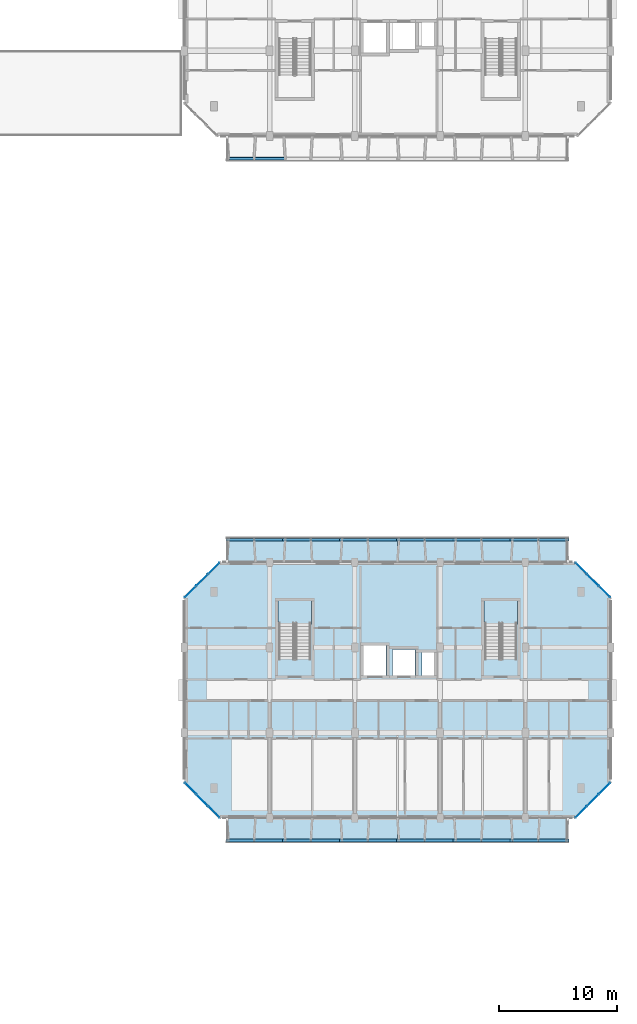
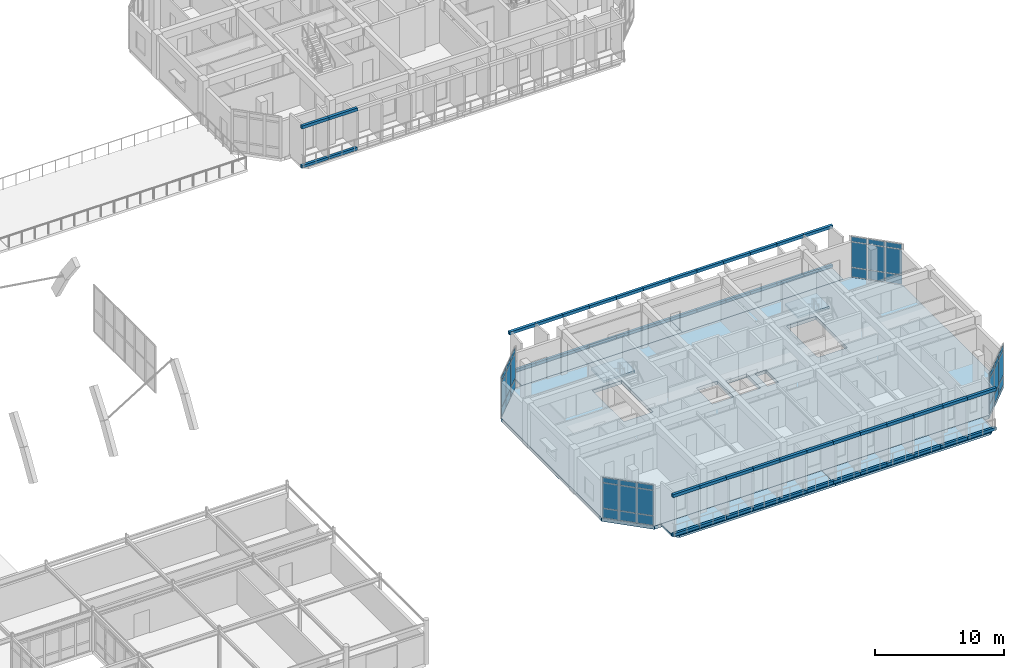
# One storey, part 40 of 85: 88 plates, 7 slabs, 6 elements without a shape of their own.
"""IFC4 building model written with IfcOpenShell, lengths in metres."""

from ifc_helpers import new_model, si_unit, direction, frame, origin, origin_2d, place, context, subcontext, project, spatial, polyline, rectangle, outline, extrude, material, layer, layer_set, type_object, element, aggregate, save


model = new_model("IFC4")

# Units and contexts
model_context = context("Model", 3, precision=1e-05, world=origin(), true_north=direction((0.0, 1.0)))
body_context = subcontext(model_context, "Body", "Model", "MODEL_VIEW")
ifc_project = project(units=[si_unit("LENGTHUNIT", "METRE"), si_unit("AREAUNIT", "SQUARE_METRE"), si_unit("VOLUMEUNIT", "CUBIC_METRE"), si_unit("PLANEANGLEUNIT", "RADIAN"), si_unit("MASSUNIT", "GRAM", prefix="KILO")], contexts=[model_context])

# Site, building, storey
site_placement = place(None, origin())
site = spatial("IfcSite", under=ifc_project, at=site_placement, CompositionType="ELEMENT")
building_placement = place(site_placement, origin())
building = spatial("IfcBuilding", under=site, at=building_placement, Name="Ochrevale Crest", CompositionType="ELEMENT")
storey_placement = place(building_placement, frame((0.0, 0.0, 4.5)))
storey = spatial("IfcBuildingStorey", under=building, at=storey_placement, Name="L01", CompositionType="ELEMENT", Elevation=4.5)

# Curtain wall, plates
ifc_material_1 = material(Name="Anodised aluminium 6063-T5", Category="aluminium")
ifc_layer_1 = layer(ifc_material_1, 0.14990234375)
ifc_layer_set_1 = layer_set([ifc_layer_1], Name="Anodised aluminium 6063-T5")
curtain_wall_type = type_object("IfcCurtainWallType", Name="CW-WG-360x385", PredefinedType="NOTDEFINED", material=ifc_layer_set_1)
curtain_wall_1_placement = place(storey_placement, origin())
curtain_wall_1 = element("IfcCurtainWall", 1, at=curtain_wall_1_placement, inside=storey, type_object=curtain_wall_type, Name="Block C L01 chamfered corner wintergarden curtain wall 2", PredefinedType="NOTDEFINED")
ifc_material_2 = material(Name="Acoustic laminated low-E insulated glass unit", Category="glass")
ifc_layer_2 = layer(ifc_material_2, 0.0380859375)
ifc_layer_set_2 = layer_set([ifc_layer_2], Name="Acoustic laminated low-E insulated glass unit")
plate_type_1 = type_object("IfcPlateType", Name="CW-PNL-IGU38", PredefinedType="CURTAIN_PANEL", material=ifc_layer_set_2)
plate_1_placement = place(storey_placement, frame((163.11328125, 14.913330078125, 0.06005859375), z_axis=(0.0, 0.0, 1.0), x_axis=(0.707106781187, 0.707106781187, 0.0)))
plate_1 = element("IfcPlate", 2, at=plate_1_placement, type_object=plate_type_1, Name="CW20 panel 1.1", PredefinedType="CURTAIN_PANEL", context=body_context, shape_type="SweptSolid", body=[
    extrude(rectangle(XDim=1.3017578125, YDim=0.0380859375, at=origin_2d()), origin(), (0.0, 0.0, 1.0), 0.860107421875),
])
plate_2_placement = place(storey_placement, frame((163.11328125, 14.913330078125, 0.97998046875), z_axis=(0.0, 0.0, 1.0), x_axis=(0.707106781187, 0.707106781187, 0.0)))
plate_2 = element("IfcPlate", 3, at=plate_2_placement, type_object=plate_type_1, Name="CW20 panel 1.2", PredefinedType="CURTAIN_PANEL", context=body_context, shape_type="SweptSolid", body=[
    extrude(rectangle(XDim=1.3017578125, YDim=0.0380859375, at=origin_2d()), origin(), (0.0, 0.0, 1.0), 2.364990234375),
])
plate_3_placement = place(storey_placement, frame((163.11328125, 14.913330078125, 3.405029296875), z_axis=(0.0, 0.0, 1.0), x_axis=(0.707106781187, 0.707106781187, 0.0)))
plate_3 = element("IfcPlate", 4, at=plate_3_placement, type_object=plate_type_1, Name="CW20 panel 1.3", PredefinedType="CURTAIN_PANEL", context=body_context, shape_type="SweptSolid", body=[
    extrude(rectangle(XDim=1.3017578125, YDim=0.0380859375, at=origin_2d()), origin(), (0.0, 0.0, 1.0), 0.4599609375),
])
plate_4_placement = place(storey_placement, frame((164.10009765625, 15.89990234375, 0.06005859375), z_axis=(0.0, 0.0, 1.0), x_axis=(0.707106781187, 0.707106781187, 0.0)))
plate_4 = element("IfcPlate", 5, at=plate_4_placement, type_object=plate_type_1, Name="CW20 panel 2.1", PredefinedType="CURTAIN_PANEL", context=body_context, shape_type="SweptSolid", body=[
    extrude(rectangle(XDim=1.339111328125, YDim=0.0380859375, at=origin_2d()), origin(), (0.0, 0.0, 1.0), 0.860107421875),
])
plate_5_placement = place(storey_placement, frame((164.10009765625, 15.89990234375, 0.97998046875), z_axis=(0.0, 0.0, 1.0), x_axis=(0.707106781187, 0.707106781187, 0.0)))
plate_5 = element("IfcPlate", 6, at=plate_5_placement, type_object=plate_type_1, Name="CW20 panel 2.2", PredefinedType="CURTAIN_PANEL", context=body_context, shape_type="SweptSolid", body=[
    extrude(rectangle(XDim=1.339111328125, YDim=0.0380859375, at=origin_2d()), origin(), (0.0, 0.0, 1.0), 2.364990234375),
])
plate_6_placement = place(storey_placement, frame((164.10009765625, 15.89990234375, 3.405029296875), z_axis=(0.0, 0.0, 1.0), x_axis=(0.707106781187, 0.707106781187, 0.0)))
plate_6 = element("IfcPlate", 7, at=plate_6_placement, type_object=plate_type_1, Name="CW20 panel 2.3", PredefinedType="CURTAIN_PANEL", context=body_context, shape_type="SweptSolid", body=[
    extrude(rectangle(XDim=1.339111328125, YDim=0.0380859375, at=origin_2d()), origin(), (0.0, 0.0, 1.0), 0.4599609375),
])
plate_7_placement = place(storey_placement, frame((165.086669921875, 16.88671875, 0.06005859375), z_axis=(0.0, 0.0, 1.0), x_axis=(0.707106781187, 0.707106781187, 0.0)))
plate_7 = element("IfcPlate", 8, at=plate_7_placement, type_object=plate_type_1, Name="CW20 panel 3.1", PredefinedType="CURTAIN_PANEL", context=body_context, shape_type="SweptSolid", body=[
    extrude(rectangle(XDim=1.3017578125, YDim=0.0380859375, at=origin_2d()), origin(), (0.0, 0.0, 1.0), 0.860107421875),
])
plate_8_placement = place(storey_placement, frame((165.086669921875, 16.88671875, 0.97998046875), z_axis=(0.0, 0.0, 1.0), x_axis=(0.707106781187, 0.707106781187, 0.0)))
plate_8 = element("IfcPlate", 9, at=plate_8_placement, type_object=plate_type_1, Name="CW20 panel 3.2", PredefinedType="CURTAIN_PANEL", context=body_context, shape_type="SweptSolid", body=[
    extrude(rectangle(XDim=1.3017578125, YDim=0.0380859375, at=origin_2d()), origin(), (0.0, 0.0, 1.0), 2.364990234375),
])
plate_9_placement = place(storey_placement, frame((165.086669921875, 16.88671875, 3.405029296875), z_axis=(0.0, 0.0, 1.0), x_axis=(0.707106781187, 0.707106781187, 0.0)))
plate_9 = element("IfcPlate", 10, at=plate_9_placement, type_object=plate_type_1, Name="CW20 panel 3.3", PredefinedType="CURTAIN_PANEL", context=body_context, shape_type="SweptSolid", body=[
    extrude(rectangle(XDim=1.3017578125, YDim=0.0380859375, at=origin_2d()), origin(), (0.0, 0.0, 1.0), 0.4599609375),
])
aggregate(curtain_wall_1, [plate_1, plate_2, plate_3, plate_4, plate_5, plate_6, plate_7, plate_8, plate_9])

curtain_wall_2_placement = place(storey_placement, origin())
curtain_wall_2 = element("IfcCurtainWall", 11, at=curtain_wall_2_placement, inside=storey, type_object=curtain_wall_type, Name="Block C L01 chamfered corner wintergarden curtain wall 4", PredefinedType="NOTDEFINED")
plate_10_placement = place(storey_placement, frame((165.086669921875, 33.51318359375, 0.06005859375), z_axis=(0.0, 0.0, 1.0), x_axis=(-0.707106781187, 0.707106781187, 0.0)))
plate_10 = element("IfcPlate", 12, at=plate_10_placement, type_object=plate_type_1, Name="CW20 panel 1.1", PredefinedType="CURTAIN_PANEL", context=body_context, shape_type="SweptSolid", body=[
    extrude(rectangle(XDim=1.3017578125, YDim=0.0380859375, at=origin_2d()), origin(), (0.0, 0.0, 1.0), 0.860107421875),
])
plate_11_placement = place(storey_placement, frame((165.086669921875, 33.51318359375, 0.97998046875), z_axis=(0.0, 0.0, 1.0), x_axis=(-0.707106781187, 0.707106781187, 0.0)))
plate_11 = element("IfcPlate", 13, at=plate_11_placement, type_object=plate_type_1, Name="CW20 panel 1.2", PredefinedType="CURTAIN_PANEL", context=body_context, shape_type="SweptSolid", body=[
    extrude(rectangle(XDim=1.3017578125, YDim=0.0380859375, at=origin_2d()), origin(), (0.0, 0.0, 1.0), 2.364990234375),
])
plate_12_placement = place(storey_placement, frame((165.086669921875, 33.51318359375, 3.405029296875), z_axis=(0.0, 0.0, 1.0), x_axis=(-0.707106781187, 0.707106781187, 0.0)))
plate_12 = element("IfcPlate", 14, at=plate_12_placement, type_object=plate_type_1, Name="CW20 panel 1.3", PredefinedType="CURTAIN_PANEL", context=body_context, shape_type="SweptSolid", body=[
    extrude(rectangle(XDim=1.3017578125, YDim=0.0380859375, at=origin_2d()), origin(), (0.0, 0.0, 1.0), 0.4599609375),
])
plate_13_placement = place(storey_placement, frame((164.10009765625, 34.5, 0.06005859375), z_axis=(0.0, 0.0, 1.0), x_axis=(-0.707106781187, 0.707106781187, 0.0)))
plate_13 = element("IfcPlate", 15, at=plate_13_placement, type_object=plate_type_1, Name="CW20 panel 2.1", PredefinedType="CURTAIN_PANEL", context=body_context, shape_type="SweptSolid", body=[
    extrude(rectangle(XDim=1.339111328125, YDim=0.0380859375, at=origin_2d()), origin(), (0.0, 0.0, 1.0), 0.860107421875),
])
plate_14_placement = place(storey_placement, frame((164.10009765625, 34.5, 0.97998046875), z_axis=(0.0, 0.0, 1.0), x_axis=(-0.707106781187, 0.707106781187, 0.0)))
plate_14 = element("IfcPlate", 16, at=plate_14_placement, type_object=plate_type_1, Name="CW20 panel 2.2", PredefinedType="CURTAIN_PANEL", context=body_context, shape_type="SweptSolid", body=[
    extrude(rectangle(XDim=1.339111328125, YDim=0.0380859375, at=origin_2d()), origin(), (0.0, 0.0, 1.0), 2.364990234375),
])
plate_15_placement = place(storey_placement, frame((164.10009765625, 34.5, 3.405029296875), z_axis=(0.0, 0.0, 1.0), x_axis=(-0.707106781187, 0.707106781187, 0.0)))
plate_15 = element("IfcPlate", 17, at=plate_15_placement, type_object=plate_type_1, Name="CW20 panel 2.3", PredefinedType="CURTAIN_PANEL", context=body_context, shape_type="SweptSolid", body=[
    extrude(rectangle(XDim=1.339111328125, YDim=0.0380859375, at=origin_2d()), origin(), (0.0, 0.0, 1.0), 0.4599609375),
])
plate_16_placement = place(storey_placement, frame((163.11328125, 35.48681640625, 0.06005859375), z_axis=(0.0, 0.0, 1.0), x_axis=(-0.707106781187, 0.707106781187, 0.0)))
plate_16 = element("IfcPlate", 18, at=plate_16_placement, type_object=plate_type_1, Name="CW20 panel 3.1", PredefinedType="CURTAIN_PANEL", context=body_context, shape_type="SweptSolid", body=[
    extrude(rectangle(XDim=1.3017578125, YDim=0.0380859375, at=origin_2d()), origin(), (0.0, 0.0, 1.0), 0.860107421875),
])
plate_17_placement = place(storey_placement, frame((163.11328125, 35.48681640625, 0.97998046875), z_axis=(0.0, 0.0, 1.0), x_axis=(-0.707106781187, 0.707106781187, 0.0)))
plate_17 = element("IfcPlate", 19, at=plate_17_placement, type_object=plate_type_1, Name="CW20 panel 3.2", PredefinedType="CURTAIN_PANEL", context=body_context, shape_type="SweptSolid", body=[
    extrude(rectangle(XDim=1.3017578125, YDim=0.0380859375, at=origin_2d()), origin(), (0.0, 0.0, 1.0), 2.364990234375),
])
plate_18_placement = place(storey_placement, frame((163.11328125, 35.48681640625, 3.405029296875), z_axis=(0.0, 0.0, 1.0), x_axis=(-0.707106781187, 0.707106781187, 0.0)))
plate_18 = element("IfcPlate", 20, at=plate_18_placement, type_object=plate_type_1, Name="CW20 panel 3.3", PredefinedType="CURTAIN_PANEL", context=body_context, shape_type="SweptSolid", body=[
    extrude(rectangle(XDim=1.3017578125, YDim=0.0380859375, at=origin_2d()), origin(), (0.0, 0.0, 1.0), 0.4599609375),
])
aggregate(curtain_wall_2, [plate_10, plate_11, plate_12, plate_13, plate_14, plate_15, plate_16, plate_17, plate_18])

curtain_wall_3_placement = place(storey_placement, origin())
curtain_wall_3 = element("IfcCurtainWall", 21, at=curtain_wall_3_placement, inside=storey, type_object=curtain_wall_type, Name="Block C L01 chamfered corner wintergarden curtain wall 6", PredefinedType="NOTDEFINED")
plate_19_placement = place(storey_placement, frame((132.086669921875, 35.48681640625, 0.06005859375), z_axis=(0.0, 0.0, 1.0), x_axis=(-0.707106781187, -0.707106781187, 0.0)))
plate_19 = element("IfcPlate", 22, at=plate_19_placement, type_object=plate_type_1, Name="CW20 panel 1.1", PredefinedType="CURTAIN_PANEL", context=body_context, shape_type="SweptSolid", body=[
    extrude(rectangle(XDim=1.3017578125, YDim=0.0380859375, at=origin_2d()), origin(), (0.0, 0.0, 1.0), 0.860107421875),
])
plate_20_placement = place(storey_placement, frame((132.086669921875, 35.48681640625, 0.97998046875), z_axis=(0.0, 0.0, 1.0), x_axis=(-0.707106781187, -0.707106781187, 0.0)))
plate_20 = element("IfcPlate", 23, at=plate_20_placement, type_object=plate_type_1, Name="CW20 panel 1.2", PredefinedType="CURTAIN_PANEL", context=body_context, shape_type="SweptSolid", body=[
    extrude(rectangle(XDim=1.3017578125, YDim=0.0380859375, at=origin_2d()), origin(), (0.0, 0.0, 1.0), 2.364990234375),
])
plate_21_placement = place(storey_placement, frame((132.086669921875, 35.48681640625, 3.405029296875), z_axis=(0.0, 0.0, 1.0), x_axis=(-0.707106781187, -0.707106781187, 0.0)))
plate_21 = element("IfcPlate", 24, at=plate_21_placement, type_object=plate_type_1, Name="CW20 panel 1.3", PredefinedType="CURTAIN_PANEL", context=body_context, shape_type="SweptSolid", body=[
    extrude(rectangle(XDim=1.3017578125, YDim=0.0380859375, at=origin_2d()), origin(), (0.0, 0.0, 1.0), 0.4599609375),
])
plate_22_placement = place(storey_placement, frame((131.10009765625, 34.5, 0.06005859375), z_axis=(0.0, 0.0, 1.0), x_axis=(-0.707106781187, -0.707106781187, 0.0)))
plate_22 = element("IfcPlate", 25, at=plate_22_placement, type_object=plate_type_1, Name="CW20 panel 2.1", PredefinedType="CURTAIN_PANEL", context=body_context, shape_type="SweptSolid", body=[
    extrude(rectangle(XDim=1.339111328125, YDim=0.0380859375, at=origin_2d()), origin(), (0.0, 0.0, 1.0), 0.860107421875),
])
plate_23_placement = place(storey_placement, frame((131.10009765625, 34.5, 0.97998046875), z_axis=(0.0, 0.0, 1.0), x_axis=(-0.707106781187, -0.707106781187, 0.0)))
plate_23 = element("IfcPlate", 26, at=plate_23_placement, type_object=plate_type_1, Name="CW20 panel 2.2", PredefinedType="CURTAIN_PANEL", context=body_context, shape_type="SweptSolid", body=[
    extrude(rectangle(XDim=1.339111328125, YDim=0.0380859375, at=origin_2d()), origin(), (0.0, 0.0, 1.0), 2.364990234375),
])
plate_24_placement = place(storey_placement, frame((131.10009765625, 34.5, 3.405029296875), z_axis=(0.0, 0.0, 1.0), x_axis=(-0.707106781187, -0.707106781187, 0.0)))
plate_24 = element("IfcPlate", 27, at=plate_24_placement, type_object=plate_type_1, Name="CW20 panel 2.3", PredefinedType="CURTAIN_PANEL", context=body_context, shape_type="SweptSolid", body=[
    extrude(rectangle(XDim=1.339111328125, YDim=0.0380859375, at=origin_2d()), origin(), (0.0, 0.0, 1.0), 0.4599609375),
])
plate_25_placement = place(storey_placement, frame((130.11328125, 33.51318359375, 0.06005859375), z_axis=(0.0, 0.0, 1.0), x_axis=(-0.707106781187, -0.707106781187, 0.0)))
plate_25 = element("IfcPlate", 28, at=plate_25_placement, type_object=plate_type_1, Name="CW20 panel 3.1", PredefinedType="CURTAIN_PANEL", context=body_context, shape_type="SweptSolid", body=[
    extrude(rectangle(XDim=1.3017578125, YDim=0.0380859375, at=origin_2d()), origin(), (0.0, 0.0, 1.0), 0.860107421875),
])
plate_26_placement = place(storey_placement, frame((130.11328125, 33.51318359375, 0.97998046875), z_axis=(0.0, 0.0, 1.0), x_axis=(-0.707106781187, -0.707106781187, 0.0)))
plate_26 = element("IfcPlate", 29, at=plate_26_placement, type_object=plate_type_1, Name="CW20 panel 3.2", PredefinedType="CURTAIN_PANEL", context=body_context, shape_type="SweptSolid", body=[
    extrude(rectangle(XDim=1.3017578125, YDim=0.0380859375, at=origin_2d()), origin(), (0.0, 0.0, 1.0), 2.364990234375),
])
plate_27_placement = place(storey_placement, frame((130.11328125, 33.51318359375, 3.405029296875), z_axis=(0.0, 0.0, 1.0), x_axis=(-0.707106781187, -0.707106781187, 0.0)))
plate_27 = element("IfcPlate", 30, at=plate_27_placement, type_object=plate_type_1, Name="CW20 panel 3.3", PredefinedType="CURTAIN_PANEL", context=body_context, shape_type="SweptSolid", body=[
    extrude(rectangle(XDim=1.3017578125, YDim=0.0380859375, at=origin_2d()), origin(), (0.0, 0.0, 1.0), 0.4599609375),
])
aggregate(curtain_wall_3, [plate_19, plate_20, plate_21, plate_22, plate_23, plate_24, plate_25, plate_26, plate_27])

curtain_wall_4_placement = place(storey_placement, origin())
curtain_wall_4 = element("IfcCurtainWall", 31, at=curtain_wall_4_placement, inside=storey, type_object=curtain_wall_type, Name="Block C L01 chamfered corner wintergarden curtain wall 8", PredefinedType="NOTDEFINED")
plate_28_placement = place(storey_placement, frame((130.11328125, 16.88671875, 0.06005859375), z_axis=(0.0, 0.0, 1.0), x_axis=(0.707106781187, -0.707106781187, 0.0)))
plate_28 = element("IfcPlate", 32, at=plate_28_placement, type_object=plate_type_1, Name="CW20 panel 1.1", PredefinedType="CURTAIN_PANEL", context=body_context, shape_type="SweptSolid", body=[
    extrude(rectangle(XDim=1.3017578125, YDim=0.0380859375, at=origin_2d()), origin(), (0.0, 0.0, 1.0), 0.860107421875),
])
plate_29_placement = place(storey_placement, frame((130.11328125, 16.88671875, 0.97998046875), z_axis=(0.0, 0.0, 1.0), x_axis=(0.707106781187, -0.707106781187, 0.0)))
plate_29 = element("IfcPlate", 33, at=plate_29_placement, type_object=plate_type_1, Name="CW20 panel 1.2", PredefinedType="CURTAIN_PANEL", context=body_context, shape_type="SweptSolid", body=[
    extrude(rectangle(XDim=1.3017578125, YDim=0.0380859375, at=origin_2d()), origin(), (0.0, 0.0, 1.0), 2.364990234375),
])
plate_30_placement = place(storey_placement, frame((130.11328125, 16.88671875, 3.405029296875), z_axis=(0.0, 0.0, 1.0), x_axis=(0.707106781187, -0.707106781187, 0.0)))
plate_30 = element("IfcPlate", 34, at=plate_30_placement, type_object=plate_type_1, Name="CW20 panel 1.3", PredefinedType="CURTAIN_PANEL", context=body_context, shape_type="SweptSolid", body=[
    extrude(rectangle(XDim=1.3017578125, YDim=0.0380859375, at=origin_2d()), origin(), (0.0, 0.0, 1.0), 0.4599609375),
])
plate_31_placement = place(storey_placement, frame((131.10009765625, 15.89990234375, 0.06005859375), z_axis=(0.0, 0.0, 1.0), x_axis=(0.707106781187, -0.707106781187, 0.0)))
plate_31 = element("IfcPlate", 35, at=plate_31_placement, type_object=plate_type_1, Name="CW20 panel 2.1", PredefinedType="CURTAIN_PANEL", context=body_context, shape_type="SweptSolid", body=[
    extrude(rectangle(XDim=1.339111328125, YDim=0.0380859375, at=origin_2d()), origin(), (0.0, 0.0, 1.0), 0.860107421875),
])
plate_32_placement = place(storey_placement, frame((131.10009765625, 15.89990234375, 0.97998046875), z_axis=(0.0, 0.0, 1.0), x_axis=(0.707106781187, -0.707106781187, 0.0)))
plate_32 = element("IfcPlate", 36, at=plate_32_placement, type_object=plate_type_1, Name="CW20 panel 2.2", PredefinedType="CURTAIN_PANEL", context=body_context, shape_type="SweptSolid", body=[
    extrude(rectangle(XDim=1.339111328125, YDim=0.0380859375, at=origin_2d()), origin(), (0.0, 0.0, 1.0), 2.364990234375),
])
plate_33_placement = place(storey_placement, frame((131.10009765625, 15.89990234375, 3.405029296875), z_axis=(0.0, 0.0, 1.0), x_axis=(0.707106781187, -0.707106781187, 0.0)))
plate_33 = element("IfcPlate", 37, at=plate_33_placement, type_object=plate_type_1, Name="CW20 panel 2.3", PredefinedType="CURTAIN_PANEL", context=body_context, shape_type="SweptSolid", body=[
    extrude(rectangle(XDim=1.339111328125, YDim=0.0380859375, at=origin_2d()), origin(), (0.0, 0.0, 1.0), 0.4599609375),
])
plate_34_placement = place(storey_placement, frame((132.086669921875, 14.913330078125, 0.06005859375), z_axis=(0.0, 0.0, 1.0), x_axis=(0.707106781187, -0.707106781187, 0.0)))
plate_34 = element("IfcPlate", 38, at=plate_34_placement, type_object=plate_type_1, Name="CW20 panel 3.1", PredefinedType="CURTAIN_PANEL", context=body_context, shape_type="SweptSolid", body=[
    extrude(rectangle(XDim=1.3017578125, YDim=0.0380859375, at=origin_2d()), origin(), (0.0, 0.0, 1.0), 0.860107421875),
])
plate_35_placement = place(storey_placement, frame((132.086669921875, 14.913330078125, 0.97998046875), z_axis=(0.0, 0.0, 1.0), x_axis=(0.707106781187, -0.707106781187, 0.0)))
plate_35 = element("IfcPlate", 39, at=plate_35_placement, type_object=plate_type_1, Name="CW20 panel 3.2", PredefinedType="CURTAIN_PANEL", context=body_context, shape_type="SweptSolid", body=[
    extrude(rectangle(XDim=1.3017578125, YDim=0.0380859375, at=origin_2d()), origin(), (0.0, 0.0, 1.0), 2.364990234375),
])
plate_36_placement = place(storey_placement, frame((132.086669921875, 14.913330078125, 3.405029296875), z_axis=(0.0, 0.0, 1.0), x_axis=(0.707106781187, -0.707106781187, 0.0)))
plate_36 = element("IfcPlate", 40, at=plate_36_placement, type_object=plate_type_1, Name="CW20 panel 3.3", PredefinedType="CURTAIN_PANEL", context=body_context, shape_type="SweptSolid", body=[
    extrude(rectangle(XDim=1.3017578125, YDim=0.0380859375, at=origin_2d()), origin(), (0.0, 0.0, 1.0), 0.4599609375),
])
aggregate(curtain_wall_4, [plate_28, plate_29, plate_30, plate_31, plate_32, plate_33, plate_34, plate_35, plate_36])

# Plates
ifc_material_3 = material(Name="Precast concrete C40/50", Category="concrete")
ifc_layer_3 = layer(ifc_material_3, 0.06005859375)
ifc_layer_set_3 = layer_set([ifc_layer_3], Name="Precast concrete C40/50")
plate_type_2 = type_object("IfcPlateType", Name="PLT-HC-HEAD-60", PredefinedType="USERDEFINED", material=ifc_layer_set_3)
for number, where, z_axis, x_axis, name in (
    (41, (134.39990234375, 12.5, 3.72021484375), (0.0, 0.0, 1.0), (1.0, 0.0, 0.0), "Block C L01 S honeycomb arched lintel fascia 1"),
    (42, (136.800048828125, 12.5, 3.72021484375), (0.0, 0.0, 1.0), (1.0, 0.0, 0.0), "Block C L01 S honeycomb arched lintel fascia 2"),
    (43, (139.199951171875, 12.5, 3.72021484375), (0.0, 0.0, 1.0), (1.0, 0.0, 0.0), "Block C L01 S honeycomb arched lintel fascia 3"),
    (44, (141.60009765625, 12.5, 3.72021484375), (0.0, 0.0, 1.0), (1.0, 0.0, 0.0), "Block C L01 S honeycomb arched lintel fascia 4"),
    (45, (144.0, 12.5, 3.72021484375), (0.0, 0.0, 1.0), (1.0, 0.0, 0.0), "Block C L01 S honeycomb arched lintel fascia 5"),
    (46, (146.39990234375, 12.5, 3.72021484375), (0.0, 0.0, 1.0), (1.0, 0.0, 0.0), "Block C L01 S honeycomb arched lintel fascia 6"),
    (47, (148.800048828125, 12.5, 3.72021484375), (0.0, 0.0, 1.0), (1.0, 0.0, 0.0), "Block C L01 S honeycomb arched lintel fascia 7"),
    (48, (151.199951171875, 12.5, 3.72021484375), (0.0, 0.0, 1.0), (1.0, 0.0, 0.0), "Block C L01 S honeycomb arched lintel fascia 8"),
    (49, (153.60009765625, 12.5, 3.72021484375), (0.0, 0.0, 1.0), (1.0, 0.0, 0.0), "Block C L01 S honeycomb arched lintel fascia 9"),
    (50, (156.0, 12.5, 3.72021484375), (0.0, 0.0, 1.0), (1.0, 0.0, 0.0), "Block C L01 S honeycomb arched lintel fascia 10"),
    (51, (158.39990234375, 12.5, 3.72021484375), (0.0, 0.0, 1.0), (1.0, 0.0, 0.0), "Block C L01 S honeycomb arched lintel fascia 11"),
    (52, (160.800048828125, 12.5, 3.72021484375), (0.0, 0.0, 1.0), (1.0, 0.0, 0.0), "Block C L01 S honeycomb arched lintel fascia 12"),
    (53, (134.39990234375, 37.89990234375, 3.72021484375), (0.0, 0.0, 1.0), (1.0, 0.0, 0.0), "Block C L01 N honeycomb arched lintel fascia 1"),
    (54, (136.800048828125, 37.89990234375, 3.72021484375), (0.0, 0.0, 1.0), (1.0, 0.0, 0.0), "Block C L01 N honeycomb arched lintel fascia 2"),
    (55, (139.199951171875, 37.89990234375, 3.72021484375), (0.0, 0.0, 1.0), (1.0, 0.0, 0.0), "Block C L01 N honeycomb arched lintel fascia 3"),
    (56, (141.60009765625, 37.89990234375, 3.72021484375), (0.0, 0.0, 1.0), (1.0, 0.0, 0.0), "Block C L01 N honeycomb arched lintel fascia 4"),
    (57, (144.0, 37.89990234375, 3.72021484375), (0.0, 0.0, 1.0), (1.0, 0.0, 0.0), "Block C L01 N honeycomb arched lintel fascia 5"),
    (58, (146.39990234375, 37.89990234375, 3.72021484375), (0.0, 0.0, 1.0), (1.0, 0.0, 0.0), "Block C L01 N honeycomb arched lintel fascia 6"),
    (59, (148.800048828125, 37.89990234375, 3.72021484375), (0.0, 0.0, 1.0), (1.0, 0.0, 0.0), "Block C L01 N honeycomb arched lintel fascia 7"),
    (60, (151.199951171875, 37.89990234375, 3.72021484375), (0.0, 0.0, 1.0), (1.0, 0.0, 0.0), "Block C L01 N honeycomb arched lintel fascia 8"),
    (61, (153.60009765625, 37.89990234375, 3.72021484375), (0.0, 0.0, 1.0), (1.0, 0.0, 0.0), "Block C L01 N honeycomb arched lintel fascia 9"),
    (62, (156.0, 37.89990234375, 3.72021484375), (0.0, 0.0, 1.0), (1.0, 0.0, 0.0), "Block C L01 N honeycomb arched lintel fascia 10"),
    (63, (158.39990234375, 37.89990234375, 3.72021484375), (0.0, 0.0, 1.0), (1.0, 0.0, 0.0), "Block C L01 N honeycomb arched lintel fascia 11"),
    (64, (160.800048828125, 37.89990234375, 3.72021484375), (0.0, 0.0, 1.0), (1.0, 0.0, 0.0), "Block C L01 N honeycomb arched lintel fascia 12"),
    (65, (134.39990234375, 70.10009765625, 3.72021484375), (0.0, 0.0, 1.0), (1.0, 0.0, 0.0), "Block D L01 S honeycomb arched lintel fascia 1"),
    (66, (136.800048828125, 70.10009765625, 3.72021484375), (0.0, 0.0, 1.0), (1.0, 0.0, 0.0), "Block D L01 S honeycomb arched lintel fascia 2"),
):
    element("IfcPlate", number, at=place(storey_placement, frame(where, z_axis=z_axis, x_axis=x_axis)), inside=storey, type_object=plate_type_2, Name=name, ObjectType="FACADE FASCIA PLATE", PredefinedType="USERDEFINED", context=body_context, shape_type="SweptSolid", body=[
        extrude(rectangle(XDim=2.60009765625, YDim=0.239990234375, at=origin_2d()), origin(), (0.0, 0.0, 1.0), 0.280029296875),
    ])
ifc_layer_4 = layer(ifc_material_3, 0.044921875)
ifc_layer_set_4 = layer_set([ifc_layer_4], Name="Precast concrete C40/50")
plate_type_3 = type_object("IfcPlateType", Name="PLT-HC-SILL-45", PredefinedType="USERDEFINED", material=ifc_layer_set_4)
for number, where, z_axis, x_axis, name in (
    (67, (134.39990234375, 12.5, 0.0), (0.0, 0.0, 1.0), (1.0, 0.0, 0.0), "Block C L01 S honeycomb sill coping plate 1"),
    (68, (136.800048828125, 12.5, 0.0), (0.0, 0.0, 1.0), (1.0, 0.0, 0.0), "Block C L01 S honeycomb sill coping plate 2"),
    (69, (139.199951171875, 12.5, 0.0), (0.0, 0.0, 1.0), (1.0, 0.0, 0.0), "Block C L01 S honeycomb sill coping plate 3"),
    (70, (141.60009765625, 12.5, 0.0), (0.0, 0.0, 1.0), (1.0, 0.0, 0.0), "Block C L01 S honeycomb sill coping plate 4"),
    (71, (144.0, 12.5, 0.0), (0.0, 0.0, 1.0), (1.0, 0.0, 0.0), "Block C L01 S honeycomb sill coping plate 5"),
    (72, (146.39990234375, 12.5, 0.0), (0.0, 0.0, 1.0), (1.0, 0.0, 0.0), "Block C L01 S honeycomb sill coping plate 6"),
    (73, (148.800048828125, 12.5, 0.0), (0.0, 0.0, 1.0), (1.0, 0.0, 0.0), "Block C L01 S honeycomb sill coping plate 7"),
    (74, (151.199951171875, 12.5, 0.0), (0.0, 0.0, 1.0), (1.0, 0.0, 0.0), "Block C L01 S honeycomb sill coping plate 8"),
    (75, (153.60009765625, 12.5, 0.0), (0.0, 0.0, 1.0), (1.0, 0.0, 0.0), "Block C L01 S honeycomb sill coping plate 9"),
    (76, (156.0, 12.5, 0.0), (0.0, 0.0, 1.0), (1.0, 0.0, 0.0), "Block C L01 S honeycomb sill coping plate 10"),
    (77, (158.39990234375, 12.5, 0.0), (0.0, 0.0, 1.0), (1.0, 0.0, 0.0), "Block C L01 S honeycomb sill coping plate 11"),
    (78, (160.800048828125, 12.5, 0.0), (0.0, 0.0, 1.0), (1.0, 0.0, 0.0), "Block C L01 S honeycomb sill coping plate 12"),
    (79, (134.39990234375, 37.89990234375, 0.0), (0.0, 0.0, 1.0), (1.0, 0.0, 0.0), "Block C L01 N honeycomb sill coping plate 1"),
    (80, (136.800048828125, 37.89990234375, 0.0), (0.0, 0.0, 1.0), (1.0, 0.0, 0.0), "Block C L01 N honeycomb sill coping plate 2"),
    (81, (139.199951171875, 37.89990234375, 0.0), (0.0, 0.0, 1.0), (1.0, 0.0, 0.0), "Block C L01 N honeycomb sill coping plate 3"),
    (82, (141.60009765625, 37.89990234375, 0.0), (0.0, 0.0, 1.0), (1.0, 0.0, 0.0), "Block C L01 N honeycomb sill coping plate 4"),
    (83, (144.0, 37.89990234375, 0.0), (0.0, 0.0, 1.0), (1.0, 0.0, 0.0), "Block C L01 N honeycomb sill coping plate 5"),
    (84, (146.39990234375, 37.89990234375, 0.0), (0.0, 0.0, 1.0), (1.0, 0.0, 0.0), "Block C L01 N honeycomb sill coping plate 6"),
    (85, (148.800048828125, 37.89990234375, 0.0), (0.0, 0.0, 1.0), (1.0, 0.0, 0.0), "Block C L01 N honeycomb sill coping plate 7"),
    (86, (151.199951171875, 37.89990234375, 0.0), (0.0, 0.0, 1.0), (1.0, 0.0, 0.0), "Block C L01 N honeycomb sill coping plate 8"),
    (87, (153.60009765625, 37.89990234375, 0.0), (0.0, 0.0, 1.0), (1.0, 0.0, 0.0), "Block C L01 N honeycomb sill coping plate 9"),
    (88, (156.0, 37.89990234375, 0.0), (0.0, 0.0, 1.0), (1.0, 0.0, 0.0), "Block C L01 N honeycomb sill coping plate 10"),
    (89, (158.39990234375, 37.89990234375, 0.0), (0.0, 0.0, 1.0), (1.0, 0.0, 0.0), "Block C L01 N honeycomb sill coping plate 11"),
    (90, (160.800048828125, 37.89990234375, 0.0), (0.0, 0.0, 1.0), (1.0, 0.0, 0.0), "Block C L01 N honeycomb sill coping plate 12"),
    (91, (134.39990234375, 70.10009765625, 0.0), (0.0, 0.0, 1.0), (1.0, 0.0, 0.0), "Block D L01 S honeycomb sill coping plate 1"),
    (92, (136.800048828125, 70.10009765625, 0.0), (0.0, 0.0, 1.0), (1.0, 0.0, 0.0), "Block D L01 S honeycomb sill coping plate 2"),
):
    element("IfcPlate", number, at=place(storey_placement, frame(where, z_axis=z_axis, x_axis=x_axis)), inside=storey, type_object=plate_type_3, Name=name, ObjectType="SILL COPING PLATE", PredefinedType="USERDEFINED", context=body_context, shape_type="SweptSolid", body=[
        extrude(rectangle(XDim=2.60009765625, YDim=0.219970703125, at=origin_2d()), origin(), (0.0, 0.0, 1.0), 0.260009765625),
    ])

# Slabs
ifc_layer_5 = layer(ifc_material_3, 0.199951171875)
ifc_layer_set_5 = layer_set([ifc_layer_5], Name="Precast concrete C40/50")
slab_type_1 = type_object("IfcSlabType", Name="SLB-BAL-200", PredefinedType="FLOOR", material=ifc_layer_set_5)
slab_1_placement = place(storey_placement, frame((0.0, 0.0, -0.199951171875)))
element("IfcSlab", 93, at=slab_1_placement, inside=storey, type_object=slab_type_1, Name="Block C L01 S1 precast loggia balcony slab", PredefinedType="FLOOR", context=body_context, shape_type="SweptSolid", body=[
    extrude(outline(polyline([(133.64990234375, 12.300048828125), (147.60009765625, 12.300048828125), (147.60009765625, 14.39990234375), (133.199951171875, 14.39990234375), (133.199951171875, 12.75), (133.64990234375, 12.300048828125)])), origin(), (0.0, 0.0, 1.0), 0.199951171875),
])
slab_2_placement = place(storey_placement, frame((0.0, 0.0, -0.199951171875)))
element("IfcSlab", 94, at=slab_2_placement, inside=storey, type_object=slab_type_1, Name="Block C L01 S2 precast loggia balcony slab", PredefinedType="FLOOR", context=body_context, shape_type="SweptSolid", body=[
    extrude(outline(polyline([(147.60009765625, 12.300048828125), (161.550048828125, 12.300048828125), (162.0, 12.75), (162.0, 14.39990234375), (147.60009765625, 14.39990234375), (147.60009765625, 12.300048828125)])), origin(), (0.0, 0.0, 1.0), 0.199951171875),
])
slab_3_placement = place(storey_placement, frame((0.0, 0.0, -0.199951171875)))
element("IfcSlab", 95, at=slab_3_placement, inside=storey, type_object=slab_type_1, Name="Block C L01 N1 precast loggia balcony slab", PredefinedType="FLOOR", context=body_context, shape_type="SweptSolid", body=[
    extrude(outline(polyline([(133.199951171875, 36.0), (147.60009765625, 36.0), (147.60009765625, 38.10009765625), (133.64990234375, 38.10009765625), (133.199951171875, 37.64990234375), (133.199951171875, 36.0)])), origin(), (0.0, 0.0, 1.0), 0.199951171875),
])
slab_4_placement = place(storey_placement, frame((0.0, 0.0, -0.199951171875)))
element("IfcSlab", 96, at=slab_4_placement, inside=storey, type_object=slab_type_1, Name="Block C L01 N2 precast loggia balcony slab", PredefinedType="FLOOR", context=body_context, shape_type="SweptSolid", body=[
    extrude(outline(polyline([(147.60009765625, 36.0), (162.0, 36.0), (162.0, 37.64990234375), (161.550048828125, 38.10009765625), (147.60009765625, 38.10009765625), (147.60009765625, 36.0)])), origin(), (0.0, 0.0, 1.0), 0.199951171875),
])
ifc_layer_6 = layer(ifc_material_3, 0.324951171875)
ifc_layer_set_6 = layer_set([ifc_layer_6], Name="Precast concrete C40/50")
slab_type_2 = type_object("IfcSlabType", Name="SLB-POD-325", PredefinedType="FLOOR", material=ifc_layer_set_6)
slab_5_placement = place(storey_placement, frame((0.0, 0.0, -0.324951171875)))
element("IfcSlab", 97, at=slab_5_placement, inside=storey, type_object=slab_type_2, Name="Block C L01 composite hollowcore floor slab", PredefinedType="FLOOR", context=body_context, shape_type="SweptSolid", body=[
    extrude(outline(polyline([(132.60009765625, 14.39990234375), (162.60009765625, 14.39990234375), (165.60009765625, 17.39990234375), (165.60009765625, 33.0), (162.60009765625, 36.0), (132.60009765625, 36.0), (129.60009765625, 33.0), (129.60009765625, 17.39990234375), (132.60009765625, 14.39990234375)]), holes=[polyline([(140.25, 27.824951171875), (140.25, 32.72509765625), (137.60009765625, 32.72509765625), (137.60009765625, 27.824951171875), (140.25, 27.824951171875)]), polyline([(157.64990234375, 27.824951171875), (157.64990234375, 32.72509765625), (155.0, 32.72509765625), (155.0, 27.824951171875), (157.64990234375, 27.824951171875)]), polyline([(144.75, 26.449951171875), (146.64990234375, 26.449951171875), (146.64990234375, 28.949951171875), (144.75, 28.949951171875), (144.75, 26.449951171875)]), polyline([(147.199951171875, 26.449951171875), (149.10009765625, 26.449951171875), (149.10009765625, 28.64990234375), (147.199951171875, 28.64990234375), (147.199951171875, 26.449951171875)]), polyline([(149.669921875, 26.419921875), (150.679931640625, 26.419921875), (150.679931640625, 28.3798828125), (149.669921875, 28.3798828125), (149.669921875, 26.419921875)])]), origin(), (0.0, 0.0, 1.0), 0.324951171875),
])

# Stair, slab
stair_type = type_object("IfcStairType", Name="ST-CORE-DOG", PredefinedType="HALF_TURN_STAIR", material=ifc_material_3)
stair_1_placement = place(storey_placement, origin())
stair_1 = element("IfcStair", 98, at=stair_1_placement, inside=storey, type_object=stair_type, Name="L01 Block C Fire Stair 1", PredefinedType="HALF_TURN_STAIR")
ifc_layer_7 = layer(ifc_material_3, 0.199951171875)
ifc_layer_set_7 = layer_set([ifc_layer_7], Name="Precast concrete C40/50")
slab_type_3 = type_object("IfcSlabType", Name="SLB-ST-LAND", PredefinedType="LANDING", material=ifc_layer_set_7)
slab_6_placement = place(storey_placement, frame((0.0, 0.0, 1.89990234375)))
slab_6 = element("IfcSlab", 99, at=slab_6_placement, type_object=slab_type_3, Name="ST-C1 landing 1", PredefinedType="LANDING", context=body_context, shape_type="SweptSolid", body=[
    extrude(outline(polyline([(140.330078125, 30.77490234375), (140.330078125, 32.804931640625), (137.52001953125, 32.804931640625), (137.52001953125, 30.77490234375), (140.330078125, 30.77490234375)])), origin(), (0.0, 0.0, 1.0), 0.2001953125),
])
aggregate(stair_1, [slab_6])

stair_2_placement = place(storey_placement, origin())
stair_2 = element("IfcStair", 100, at=stair_2_placement, inside=storey, type_object=stair_type, Name="L01 Block C Fire Stair 2", PredefinedType="HALF_TURN_STAIR")
slab_7_placement = place(storey_placement, frame((0.0, 0.0, 1.89990234375)))
slab_7 = element("IfcSlab", 101, at=slab_7_placement, type_object=slab_type_3, Name="ST-C2 landing 1", PredefinedType="LANDING", context=body_context, shape_type="SweptSolid", body=[
    extrude(outline(polyline([(157.72998046875, 30.77490234375), (157.72998046875, 32.804931640625), (154.919921875, 32.804931640625), (154.919921875, 30.77490234375), (157.72998046875, 30.77490234375)])), origin(), (0.0, 0.0, 1.0), 0.2001953125),
])
aggregate(stair_2, [slab_7])

save(model, "model.ifc")
